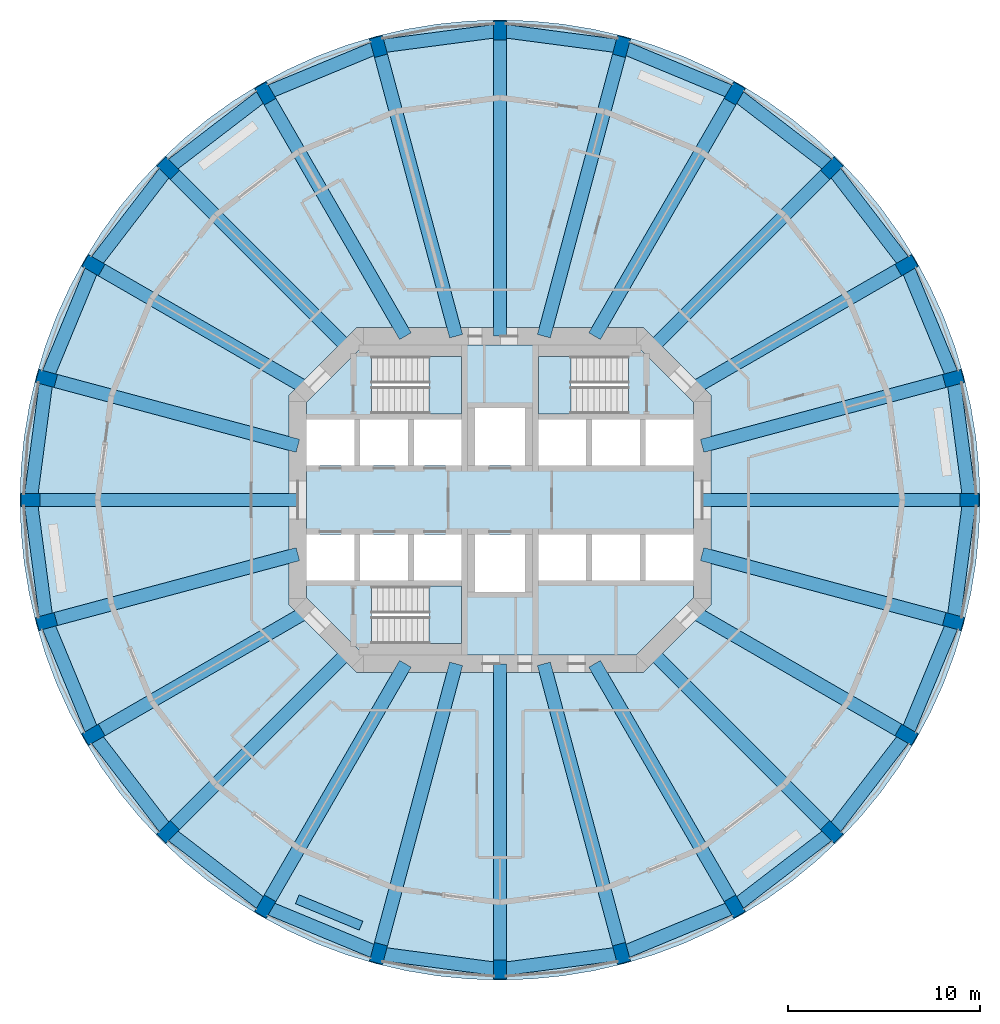
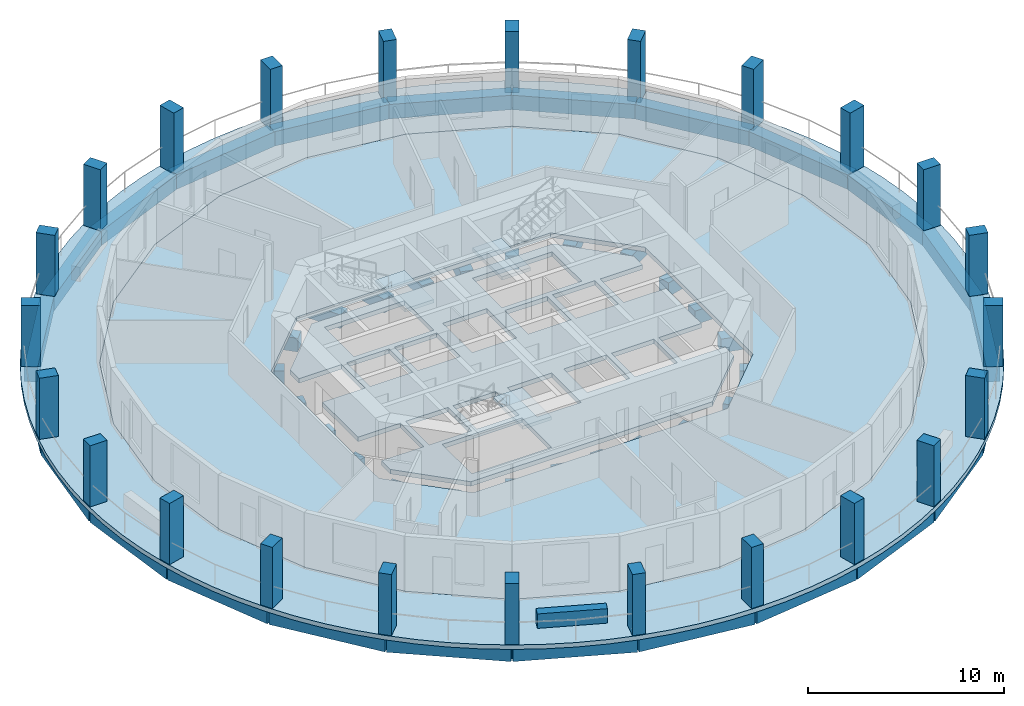
# One storey, part 1 of 8: 48 beams, 24 columns, 6 slabs, 1 wall, 3 elements without a shape of their own.
"""IFC4 building model written with IfcOpenShell, lengths in metres."""

from ifc_helpers import new_model, si_unit, direction, frame, frame_2d, origin, origin_2d, place, context, subcontext, project, spatial, polyline, rectangle, outline, extrude, material, layer, layer_set, material_profile, profile_set, type_object, element, aggregate, save


model = new_model("IFC4")

# Units and contexts
model_context = context("Model", 3, precision=1e-05, world=origin(), true_north=direction((0.0, 1.0)))
body_context = subcontext(model_context, "Body", "Model", "MODEL_VIEW")
ifc_project = project(units=[si_unit("LENGTHUNIT", "METRE"), si_unit("AREAUNIT", "SQUARE_METRE"), si_unit("VOLUMEUNIT", "CUBIC_METRE"), si_unit("PLANEANGLEUNIT", "RADIAN"), si_unit("MASSUNIT", "GRAM", prefix="KILO")], contexts=[model_context])

# Site, building, storey
site_placement = place(None, origin())
site = spatial("IfcSite", under=ifc_project, at=site_placement, CompositionType="ELEMENT")
building_placement = place(site_placement, origin())
building = spatial("IfcBuilding", under=site, at=building_placement, Name="Torre Triforio", CompositionType="ELEMENT")
storey_placement = place(building_placement, frame((0.0, 0.0, 127.60009765625)))
storey = spatial("IfcBuildingStorey", under=building, at=storey_placement, Name="L28", CompositionType="ELEMENT", Elevation=127.60009765625)

# Columns
ifc_material_1 = material(Name="Concrete C60", Category="concrete")
ifc_material_profile_1 = material_profile(ifc_material_1, rectangle(XDim=0.699951171875, YDim=1.0, at=origin_2d()), Name="RC 700x1000")
ifc_profile_set_1 = profile_set([ifc_material_profile_1], Name="Concrete C60")
column_type = type_object("IfcColumnType", Name="Pier RC 700x1000 C60", PredefinedType="COLUMN", material=ifc_profile_set_1)
for number, where, z_axis, x_axis, name in (
    (1, (24.5, 0.0, 0.0), (0.0, 0.0, 1.0), (0.0, 1.0, 0.0), "COL.R.L28.00"),
    (2, (23.665283203125, 6.341064453125, 0.0), (0.0, 0.0, 1.0), (-0.258819045103, 0.965925826289, 0.0), "COL.R.L28.01"),
    (3, (21.217529296875, 12.25, 0.0), (0.0, 0.0, 1.0), (-0.5, 0.866025403784, 0.0), "COL.R.L28.02"),
    (4, (17.32421875, 17.32421875, 0.0), (0.0, 0.0, 1.0), (-0.707106781187, 0.707106781187, 0.0), "COL.R.L28.03"),
    (5, (12.25, 21.217529296875, 0.0), (0.0, 0.0, 1.0), (-0.866025403784, 0.5, 0.0), "COL.R.L28.04"),
    (6, (6.341064453125, 23.665283203125, 0.0), (0.0, 0.0, 1.0), (-0.965925826289, 0.258819045103, 0.0), "COL.R.L28.05"),
    (7, (0.0, 24.5, 0.0), (0.0, 0.0, 1.0), (-1.0, 0.0, 0.0), "COL.R.L28.06"),
    (8, (-6.341064453125, 23.665283203125, 0.0), (0.0, 0.0, 1.0), (-0.965925826289, -0.258819045103, 0.0), "COL.R.L28.07"),
    (9, (-12.25, 21.217529296875, 0.0), (0.0, 0.0, 1.0), (-0.866025403784, -0.5, 0.0), "COL.R.L28.08"),
    (10, (-17.32421875, 17.32421875, 0.0), (0.0, 0.0, 1.0), (-0.707106781187, -0.707106781187, 0.0), "COL.R.L28.09"),
    (11, (-21.217529296875, 12.25, 0.0), (0.0, 0.0, 1.0), (-0.5, -0.866025403784, 0.0), "COL.R.L28.10"),
    (12, (-23.665283203125, 6.341064453125, 0.0), (0.0, 0.0, 1.0), (-0.258819045103, -0.965925826289, 0.0), "COL.R.L28.11"),
    (13, (-24.5, 0.0, 0.0), (0.0, 0.0, 1.0), (0.0, -1.0, 0.0), "COL.R.L28.12"),
    (14, (-23.665283203125, -6.341064453125, 0.0), (0.0, 0.0, 1.0), (0.258819045103, -0.965925826289, 0.0), "COL.R.L28.13"),
    (15, (-21.217529296875, -12.25, 0.0), (0.0, 0.0, 1.0), (0.5, -0.866025403784, 0.0), "COL.R.L28.14"),
    (16, (-17.32421875, -17.32421875, 0.0), (0.0, 0.0, 1.0), (0.707106781187, -0.707106781187, 0.0), "COL.R.L28.15"),
    (17, (-12.25, -21.217529296875, 0.0), (0.0, 0.0, 1.0), (0.866025403784, -0.5, 0.0), "COL.R.L28.16"),
    (18, (-6.341064453125, -23.665283203125, 0.0), (0.0, 0.0, 1.0), (0.965925826289, -0.258819045103, 0.0), "COL.R.L28.17"),
    (19, (0.0, -24.5, 0.0), (0.0, 0.0, 1.0), (1.0, 0.0, 0.0), "COL.R.L28.18"),
    (20, (6.341064453125, -23.665283203125, 0.0), (0.0, 0.0, 1.0), (0.965925826289, 0.258819045103, 0.0), "COL.R.L28.19"),
    (21, (12.25, -21.217529296875, 0.0), (0.0, 0.0, 1.0), (0.866025403784, 0.5, 0.0), "COL.R.L28.20"),
    (22, (17.32421875, -17.32421875, 0.0), (0.0, 0.0, 1.0), (0.707106781187, 0.707106781187, 0.0), "COL.R.L28.21"),
    (23, (21.217529296875, -12.25, 0.0), (0.0, 0.0, 1.0), (0.5, 0.866025403784, 0.0), "COL.R.L28.22"),
    (24, (23.665283203125, -6.341064453125, 0.0), (0.0, 0.0, 1.0), (0.258819045103, 0.965925826289, 0.0), "COL.R.L28.23"),
):
    element("IfcColumn", number, at=place(storey_placement, frame(where, z_axis=z_axis, x_axis=x_axis)), inside=storey, type_object=column_type, Name=name, PredefinedType="COLUMN", context=body_context, shape_type="SweptSolid", body=[
        extrude(rectangle(XDim=0.699951171875, YDim=1.0, at=origin_2d()), origin(), (0.0, 0.0, 1.0), 3.7998046875),
    ])

# Beams
ifc_material_2 = material(Name="Concrete C50", Category="concrete")
ifc_material_profile_2 = material_profile(ifc_material_2, rectangle(XDim=0.699951171875, YDim=0.85009765625, at=origin_2d()), Name="RC 700x850")
ifc_profile_set_2 = profile_set([ifc_material_profile_2], Name="Concrete C50")
beam_type_1 = type_object("IfcBeamType", Name="Radial beam RC 700x850 C50", PredefinedType="BEAM", material=ifc_profile_set_2)
beam_1_placement = place(storey_placement, frame((10.550048828125, 0.0, -0.705078125), z_axis=(1.0, 0.0, 0.0), x_axis=(0.0, 1.0, 0.0)))
element("IfcBeam", 25, at=beam_1_placement, inside=storey, type_object=beam_type_1, Name="BM.R.L28.00", PredefinedType="BEAM", context=body_context, shape_type="SweptSolid", body=[
    extrude(rectangle(XDim=0.699951171875, YDim=0.85009765625, at=origin_2d()), origin(), (0.0, 0.0, 1.0), 13.949951171875),
])
beam_2_placement = place(storey_placement, frame((10.550048828125, 2.826904296875, -0.705078125), z_axis=(0.965926862951, 0.258815176197, 0.0), x_axis=(-0.258815176197, 0.965926862951, 0.0)))
element("IfcBeam", 26, at=beam_2_placement, inside=storey, type_object=beam_type_1, Name="BM.R.L28.01", PredefinedType="BEAM", context=body_context, shape_type="SweptSolid", body=[
    extrude(rectangle(XDim=0.699951171875, YDim=0.85009765625, at=origin_2d()), origin(), (0.0, 0.0, 1.0), 13.577880859375),
])
beam_3_placement = place(storey_placement, frame((10.039794921875, 5.796630859375, -0.705078125), z_axis=(0.866028718729, 0.499994258303, 0.0), x_axis=(-0.499994258303, 0.866028718729, 0.0)))
element("IfcBeam", 27, at=beam_3_placement, inside=storey, type_object=beam_type_1, Name="BM.R.L28.02", PredefinedType="BEAM", context=body_context, shape_type="SweptSolid", body=[
    extrude(rectangle(XDim=0.699951171875, YDim=0.85009765625, at=origin_2d()), origin(), (0.0, 0.0, 1.0), 12.906982421875),
])
beam_4_placement = place(storey_placement, frame((7.918212890625, 7.918212890625, -0.705078125), z_axis=(0.707106781187, 0.707106781187, 0.0), x_axis=(-0.707106781187, 0.707106781187, 0.0)))
element("IfcBeam", 28, at=beam_4_placement, inside=storey, type_object=beam_type_1, Name="BM.R.L28.03", PredefinedType="BEAM", context=body_context, shape_type="SweptSolid", body=[
    extrude(rectangle(XDim=0.699951171875, YDim=0.85009765625, at=origin_2d()), origin(), (0.0, 0.0, 1.0), 13.302001953125),
])
beam_5_placement = place(storey_placement, frame((4.936279296875, 8.550048828125, -0.705078125), z_axis=(0.500007560092, 0.86602103892, 0.0), x_axis=(-0.86602103892, 0.500007560092, 0.0)))
element("IfcBeam", 29, at=beam_5_placement, inside=storey, type_object=beam_type_1, Name="BM.R.L28.04", PredefinedType="BEAM", context=body_context, shape_type="SweptSolid", body=[
    extrude(rectangle(XDim=0.699951171875, YDim=0.85009765625, at=origin_2d()), origin(), (0.0, 0.0, 1.0), 14.627197265625),
])
beam_6_placement = place(storey_placement, frame((2.291015625, 8.550048828125, -0.705078125), z_axis=(0.258815108997, 0.965926880957, 0.0), x_axis=(-0.965926880957, 0.258815108997, 0.0)))
element("IfcBeam", 30, at=beam_6_placement, inside=storey, type_object=beam_type_1, Name="BM.R.L28.05", PredefinedType="BEAM", context=body_context, shape_type="SweptSolid", body=[
    extrude(rectangle(XDim=0.699951171875, YDim=0.85009765625, at=origin_2d()), origin(), (0.0, 0.0, 1.0), 15.6484375),
])
beam_7_placement = place(storey_placement, frame((0.0, 8.550048828125, -0.705078125), z_axis=(0.0, 1.0, 0.0), x_axis=(-1.0, 0.0, 0.0)))
element("IfcBeam", 31, at=beam_7_placement, inside=storey, type_object=beam_type_1, Name="BM.R.L28.06", PredefinedType="BEAM", context=body_context, shape_type="SweptSolid", body=[
    extrude(rectangle(XDim=0.699951171875, YDim=0.85009765625, at=origin_2d()), origin(), (0.0, 0.0, 1.0), 15.949951171875),
])
beam_8_placement = place(storey_placement, frame((-2.291015625, 8.550048828125, -0.705078125), z_axis=(-0.258815108997, 0.965926880957, 0.0), x_axis=(-0.965926880957, -0.258815108997, 0.0)))
element("IfcBeam", 32, at=beam_8_placement, inside=storey, type_object=beam_type_1, Name="BM.R.L28.07", PredefinedType="BEAM", context=body_context, shape_type="SweptSolid", body=[
    extrude(rectangle(XDim=0.699951171875, YDim=0.85009765625, at=origin_2d()), origin(), (0.0, 0.0, 1.0), 15.6484375),
])
beam_9_placement = place(storey_placement, frame((-4.936279296875, 8.550048828125, -0.705078125), z_axis=(-0.500007560092, 0.86602103892, 0.0), x_axis=(-0.86602103892, -0.500007560092, 0.0)))
element("IfcBeam", 33, at=beam_9_placement, inside=storey, type_object=beam_type_1, Name="BM.R.L28.08", PredefinedType="BEAM", context=body_context, shape_type="SweptSolid", body=[
    extrude(rectangle(XDim=0.699951171875, YDim=0.85009765625, at=origin_2d()), origin(), (0.0, 0.0, 1.0), 14.627197265625),
])
beam_10_placement = place(storey_placement, frame((-7.918212890625, 7.918212890625, -0.705078125), z_axis=(-0.707106781187, 0.707106781187, 0.0), x_axis=(-0.707106781187, -0.707106781187, 0.0)))
element("IfcBeam", 34, at=beam_10_placement, inside=storey, type_object=beam_type_1, Name="BM.R.L28.09", PredefinedType="BEAM", context=body_context, shape_type="SweptSolid", body=[
    extrude(rectangle(XDim=0.699951171875, YDim=0.85009765625, at=origin_2d()), origin(), (0.0, 0.0, 1.0), 13.302001953125),
])
beam_11_placement = place(storey_placement, frame((-10.039794921875, 5.796630859375, -0.705078125), z_axis=(-0.866028718729, 0.499994258303, 0.0), x_axis=(-0.499994258303, -0.866028718729, 0.0)))
element("IfcBeam", 35, at=beam_11_placement, inside=storey, type_object=beam_type_1, Name="BM.R.L28.10", PredefinedType="BEAM", context=body_context, shape_type="SweptSolid", body=[
    extrude(rectangle(XDim=0.699951171875, YDim=0.85009765625, at=origin_2d()), origin(), (0.0, 0.0, 1.0), 12.906982421875),
])
beam_12_placement = place(storey_placement, frame((-10.550048828125, 2.826904296875, -0.705078125), z_axis=(-0.965926862951, 0.258815176197, 0.0), x_axis=(-0.258815176197, -0.965926862951, 0.0)))
element("IfcBeam", 36, at=beam_12_placement, inside=storey, type_object=beam_type_1, Name="BM.R.L28.11", PredefinedType="BEAM", context=body_context, shape_type="SweptSolid", body=[
    extrude(rectangle(XDim=0.699951171875, YDim=0.85009765625, at=origin_2d()), origin(), (0.0, 0.0, 1.0), 13.577880859375),
])
beam_13_placement = place(storey_placement, frame((-10.550048828125, 0.0, -0.705078125), z_axis=(-1.0, 0.0, 0.0), x_axis=(0.0, -1.0, 0.0)))
element("IfcBeam", 37, at=beam_13_placement, inside=storey, type_object=beam_type_1, Name="BM.R.L28.12", PredefinedType="BEAM", context=body_context, shape_type="SweptSolid", body=[
    extrude(rectangle(XDim=0.699951171875, YDim=0.85009765625, at=origin_2d()), origin(), (0.0, 0.0, 1.0), 13.949951171875),
])
beam_14_placement = place(storey_placement, frame((-10.550048828125, -2.826904296875, -0.705078125), z_axis=(-0.965926862951, -0.258815176197, 0.0), x_axis=(0.258815176197, -0.965926862951, 0.0)))
element("IfcBeam", 38, at=beam_14_placement, inside=storey, type_object=beam_type_1, Name="BM.R.L28.13", PredefinedType="BEAM", context=body_context, shape_type="SweptSolid", body=[
    extrude(rectangle(XDim=0.699951171875, YDim=0.85009765625, at=origin_2d()), origin(), (0.0, 0.0, 1.0), 13.577880859375),
])
beam_15_placement = place(storey_placement, frame((-10.039794921875, -5.796630859375, -0.705078125), z_axis=(-0.866028718729, -0.499994258303, 0.0), x_axis=(0.499994258303, -0.866028718729, 0.0)))
element("IfcBeam", 39, at=beam_15_placement, inside=storey, type_object=beam_type_1, Name="BM.R.L28.14", PredefinedType="BEAM", context=body_context, shape_type="SweptSolid", body=[
    extrude(rectangle(XDim=0.699951171875, YDim=0.85009765625, at=origin_2d()), origin(), (0.0, 0.0, 1.0), 12.906982421875),
])
beam_16_placement = place(storey_placement, frame((-7.918212890625, -7.918212890625, -0.705078125), z_axis=(-0.707106781187, -0.707106781187, 0.0), x_axis=(0.707106781187, -0.707106781187, 0.0)))
element("IfcBeam", 40, at=beam_16_placement, inside=storey, type_object=beam_type_1, Name="BM.R.L28.15", PredefinedType="BEAM", context=body_context, shape_type="SweptSolid", body=[
    extrude(rectangle(XDim=0.699951171875, YDim=0.85009765625, at=origin_2d()), origin(), (0.0, 0.0, 1.0), 13.302001953125),
])
beam_17_placement = place(storey_placement, frame((-4.936279296875, -8.550048828125, -0.705078125), z_axis=(-0.500007560092, -0.86602103892, 0.0), x_axis=(0.86602103892, -0.500007560092, 0.0)))
element("IfcBeam", 41, at=beam_17_placement, inside=storey, type_object=beam_type_1, Name="BM.R.L28.16", PredefinedType="BEAM", context=body_context, shape_type="SweptSolid", body=[
    extrude(rectangle(XDim=0.699951171875, YDim=0.85009765625, at=origin_2d()), origin(), (0.0, 0.0, 1.0), 14.627197265625),
])
beam_18_placement = place(storey_placement, frame((-2.291015625, -8.550048828125, -0.705078125), z_axis=(-0.258815108997, -0.965926880957, 0.0), x_axis=(0.965926880957, -0.258815108997, 0.0)))
element("IfcBeam", 42, at=beam_18_placement, inside=storey, type_object=beam_type_1, Name="BM.R.L28.17", PredefinedType="BEAM", context=body_context, shape_type="SweptSolid", body=[
    extrude(rectangle(XDim=0.699951171875, YDim=0.85009765625, at=origin_2d()), origin(), (0.0, 0.0, 1.0), 15.6484375),
])
beam_19_placement = place(storey_placement, frame((0.0, -8.550048828125, -0.705078125), z_axis=(0.0, -1.0, 0.0), x_axis=(1.0, 0.0, 0.0)))
element("IfcBeam", 43, at=beam_19_placement, inside=storey, type_object=beam_type_1, Name="BM.R.L28.18", PredefinedType="BEAM", context=body_context, shape_type="SweptSolid", body=[
    extrude(rectangle(XDim=0.699951171875, YDim=0.85009765625, at=origin_2d()), origin(), (0.0, 0.0, 1.0), 15.949951171875),
])
beam_20_placement = place(storey_placement, frame((2.291015625, -8.550048828125, -0.705078125), z_axis=(0.258815108997, -0.965926880957, 0.0), x_axis=(0.965926880957, 0.258815108997, 0.0)))
element("IfcBeam", 44, at=beam_20_placement, inside=storey, type_object=beam_type_1, Name="BM.R.L28.19", PredefinedType="BEAM", context=body_context, shape_type="SweptSolid", body=[
    extrude(rectangle(XDim=0.699951171875, YDim=0.85009765625, at=origin_2d()), origin(), (0.0, 0.0, 1.0), 15.6484375),
])
beam_21_placement = place(storey_placement, frame((4.936279296875, -8.550048828125, -0.705078125), z_axis=(0.500007560092, -0.86602103892, 0.0), x_axis=(0.86602103892, 0.500007560092, 0.0)))
element("IfcBeam", 45, at=beam_21_placement, inside=storey, type_object=beam_type_1, Name="BM.R.L28.20", PredefinedType="BEAM", context=body_context, shape_type="SweptSolid", body=[
    extrude(rectangle(XDim=0.699951171875, YDim=0.85009765625, at=origin_2d()), origin(), (0.0, 0.0, 1.0), 14.627197265625),
])
beam_22_placement = place(storey_placement, frame((7.918212890625, -7.918212890625, -0.705078125), z_axis=(0.707106781187, -0.707106781187, 0.0), x_axis=(0.707106781187, 0.707106781187, 0.0)))
element("IfcBeam", 46, at=beam_22_placement, inside=storey, type_object=beam_type_1, Name="BM.R.L28.21", PredefinedType="BEAM", context=body_context, shape_type="SweptSolid", body=[
    extrude(rectangle(XDim=0.699951171875, YDim=0.85009765625, at=origin_2d()), origin(), (0.0, 0.0, 1.0), 13.302001953125),
])
beam_23_placement = place(storey_placement, frame((10.039794921875, -5.796630859375, -0.705078125), z_axis=(0.866028718729, -0.499994258303, 0.0), x_axis=(0.499994258303, 0.866028718729, 0.0)))
element("IfcBeam", 47, at=beam_23_placement, inside=storey, type_object=beam_type_1, Name="BM.R.L28.22", PredefinedType="BEAM", context=body_context, shape_type="SweptSolid", body=[
    extrude(rectangle(XDim=0.699951171875, YDim=0.85009765625, at=origin_2d()), origin(), (0.0, 0.0, 1.0), 12.906982421875),
])
beam_24_placement = place(storey_placement, frame((10.550048828125, -2.826904296875, -0.705078125), z_axis=(0.965926862951, -0.258815176197, 0.0), x_axis=(0.258815176197, 0.965926862951, 0.0)))
element("IfcBeam", 48, at=beam_24_placement, inside=storey, type_object=beam_type_1, Name="BM.R.L28.23", PredefinedType="BEAM", context=body_context, shape_type="SweptSolid", body=[
    extrude(rectangle(XDim=0.699951171875, YDim=0.85009765625, at=origin_2d()), origin(), (0.0, 0.0, 1.0), 13.577880859375),
])
ifc_material_profile_3 = material_profile(ifc_material_2, rectangle(XDim=0.699951171875, YDim=0.89990234375, at=origin_2d()), Name="RC 700x900")
ifc_profile_set_3 = profile_set([ifc_material_profile_3], Name="Concrete C50")
beam_type_2 = type_object("IfcBeamType", Name="Spandrel beam RC 700x900 C50", PredefinedType="SPANDREL", material=ifc_profile_set_3)
for number, where, z_axis, x_axis, name in (
    (49, (24.5, 0.0, -0.72998046875), (-0.130510796237, 0.991446888172, 0.0), (-0.991446888172, -0.130510796237, 0.0), "BM.S.L28.00"),
    (50, (23.665283203125, 6.341064453125, -0.72998046875), (-0.382709143949, 0.923868882006, 0.0), (-0.923868882006, -0.382709143949, 0.0), "BM.S.L28.01"),
    (51, (21.217529296875, 12.25, -0.72998046875), (-0.60873442055, 0.79337406388, 0.0), (-0.79337406388, -0.60873442055, 0.0), "BM.S.L28.02"),
    (52, (17.32421875, 17.32421875, -0.72998046875), (-0.79337406388, 0.60873442055, 0.0), (-0.60873442055, -0.79337406388, 0.0), "BM.S.L28.03"),
    (53, (12.25, 21.217529296875, -0.72998046875), (-0.923868882006, 0.382709143949, 0.0), (-0.382709143949, -0.923868882006, 0.0), "BM.S.L28.04"),
    (54, (6.341064453125, 23.665283203125, -0.72998046875), (-0.991446888172, 0.130510796237, 0.0), (-0.130510796237, -0.991446888172, 0.0), "BM.S.L28.05"),
    (55, (0.0, 24.5, -0.72998046875), (-0.991446888172, -0.130510796237, 0.0), (0.130510796237, -0.991446888172, 0.0), "BM.S.L28.06"),
    (56, (-6.341064453125, 23.665283203125, -0.72998046875), (-0.923868882006, -0.382709143949, 0.0), (0.382709143949, -0.923868882006, 0.0), "BM.S.L28.07"),
    (57, (-12.25, 21.217529296875, -0.72998046875), (-0.79337406388, -0.60873442055, 0.0), (0.60873442055, -0.79337406388, 0.0), "BM.S.L28.08"),
    (58, (-17.32421875, 17.32421875, -0.72998046875), (-0.60873442055, -0.79337406388, 0.0), (0.79337406388, -0.60873442055, 0.0), "BM.S.L28.09"),
    (59, (-21.217529296875, 12.25, -0.72998046875), (-0.382709143949, -0.923868882006, 0.0), (0.923868882006, -0.382709143949, 0.0), "BM.S.L28.10"),
    (60, (-23.665283203125, 6.341064453125, -0.72998046875), (-0.130510796237, -0.991446888172, 0.0), (0.991446888172, -0.130510796237, 0.0), "BM.S.L28.11"),
    (61, (-24.5, 0.0, -0.72998046875), (0.130510796237, -0.991446888172, 0.0), (0.991446888172, 0.130510796237, 0.0), "BM.S.L28.12"),
    (62, (-23.665283203125, -6.341064453125, -0.72998046875), (0.382709143949, -0.923868882006, 0.0), (0.923868882006, 0.382709143949, 0.0), "BM.S.L28.13"),
    (63, (-21.217529296875, -12.25, -0.72998046875), (0.60873442055, -0.79337406388, 0.0), (0.79337406388, 0.60873442055, 0.0), "BM.S.L28.14"),
    (64, (-17.32421875, -17.32421875, -0.72998046875), (0.79337406388, -0.60873442055, 0.0), (0.60873442055, 0.79337406388, 0.0), "BM.S.L28.15"),
    (65, (-12.25, -21.217529296875, -0.72998046875), (0.923868882006, -0.382709143949, 0.0), (0.382709143949, 0.923868882006, 0.0), "BM.S.L28.16"),
    (66, (-6.341064453125, -23.665283203125, -0.72998046875), (0.991446888172, -0.130510796237, 0.0), (0.130510796237, 0.991446888172, 0.0), "BM.S.L28.17"),
    (67, (0.0, -24.5, -0.72998046875), (0.991446888172, 0.130510796237, 0.0), (-0.130510796237, 0.991446888172, 0.0), "BM.S.L28.18"),
    (68, (6.341064453125, -23.665283203125, -0.72998046875), (0.923868882006, 0.382709143949, 0.0), (-0.382709143949, 0.923868882006, 0.0), "BM.S.L28.19"),
    (69, (12.25, -21.217529296875, -0.72998046875), (0.79337406388, 0.60873442055, 0.0), (-0.60873442055, 0.79337406388, 0.0), "BM.S.L28.20"),
    (70, (17.32421875, -17.32421875, -0.72998046875), (0.60873442055, 0.79337406388, 0.0), (-0.79337406388, 0.60873442055, 0.0), "BM.S.L28.21"),
    (71, (21.217529296875, -12.25, -0.72998046875), (0.382709143949, 0.923868882006, 0.0), (-0.923868882006, 0.382709143949, 0.0), "BM.S.L28.22"),
    (72, (23.665283203125, -6.341064453125, -0.72998046875), (0.130510796237, 0.991446888172, 0.0), (-0.991446888172, 0.130510796237, 0.0), "BM.S.L28.23"),
):
    element("IfcBeam", number, at=place(storey_placement, frame(where, z_axis=z_axis, x_axis=x_axis)), inside=storey, type_object=beam_type_2, Name=name, PredefinedType="SPANDREL", context=body_context, shape_type="SweptSolid", body=[
        extrude(rectangle(XDim=0.699951171875, YDim=0.89990234375, at=origin_2d()), origin(), (0.0, 0.0, 1.0), 6.395751953125),
    ])

# Slabs
ifc_layer_1 = layer(ifc_material_1, 0.280029296875)
ifc_layer_set_1 = layer_set([ifc_layer_1], Name="Concrete C60")
slab_type_1 = type_object("IfcSlabType", Name="Core floor slab 280 mm C60 REI 120", PredefinedType="FLOOR", material=ifc_layer_set_1)
slab_1_placement = place(storey_placement, frame((0.0, 0.0, -0.280029296875)))
element("IfcSlab", 73, at=slab_1_placement, inside=storey, type_object=slab_type_1, Name="Core floor slab", PredefinedType="FLOOR", context=body_context, shape_type="SweptSolid", body=[
    extrude(outline(polyline([(10.10009765625, -5.10009765625), (7.10009765625, -8.10009765625), (-7.10009765625, -8.10009765625), (-10.10009765625, -5.10009765625), (-10.10009765625, -4.199951171875), (-7.60009765625, -4.199951171875), (-7.60009765625, -1.800048828125), (-10.10009765625, -1.800048828125), (-10.10009765625, 1.800048828125), (-7.60009765625, 1.800048828125), (-7.60009765625, 4.199951171875), (-10.10009765625, 4.199951171875), (-10.10009765625, 5.10009765625), (-7.10009765625, 8.10009765625), (7.10009765625, 8.10009765625), (10.10009765625, 5.10009765625), (10.10009765625, 4.199951171875), (7.60009765625, 4.199951171875), (7.60009765625, 1.800048828125), (10.10009765625, 1.800048828125), (10.10009765625, -1.800048828125), (7.60009765625, -1.800048828125), (7.60009765625, -4.199951171875), (10.10009765625, -4.199951171875), (10.10009765625, -5.10009765625)]), holes=[polyline([(-2.0, -4.5), (-6.696044921875, -4.5), (-6.696044921875, -7.5), (-2.0, -7.5), (-2.0, -4.5)]), polyline([(-4.800048828125, -1.800048828125), (-7.300048828125, -1.800048828125), (-7.300048828125, -4.199951171875), (-4.800048828125, -4.199951171875), (-4.800048828125, -1.800048828125)]), polyline([(-2.0, -1.800048828125), (-4.5, -1.800048828125), (-4.5, -4.199951171875), (-2.0, -4.199951171875), (-2.0, -1.800048828125)]), polyline([(-4.800048828125, 4.199951171875), (-7.300048828125, 4.199951171875), (-7.300048828125, 1.800048828125), (-4.800048828125, 1.800048828125), (-4.800048828125, 4.199951171875)]), polyline([(-2.0, 4.199951171875), (-4.5, 4.199951171875), (-4.5, 1.800048828125), (-2.0, 1.800048828125), (-2.0, 4.199951171875)]), polyline([(1.300048828125, 4.800048828125), (-1.300048828125, 4.800048828125), (-1.300048828125, 1.800048828125), (1.300048828125, 1.800048828125), (1.300048828125, 4.800048828125)]), polyline([(-2.0, 7.5), (-6.696044921875, 7.5), (-6.696044921875, 4.5), (-2.0, 4.5), (-2.0, 7.5)]), polyline([(1.300048828125, -1.800048828125), (-1.300048828125, -1.800048828125), (-1.300048828125, -4.800048828125), (1.300048828125, -4.800048828125), (1.300048828125, -1.800048828125)]), polyline([(4.5, -1.800048828125), (2.0, -1.800048828125), (2.0, -4.199951171875), (4.5, -4.199951171875), (4.5, -1.800048828125)]), polyline([(7.300048828125, -1.800048828125), (4.800048828125, -1.800048828125), (4.800048828125, -4.199951171875), (7.300048828125, -4.199951171875), (7.300048828125, -1.800048828125)]), polyline([(4.5, 4.199951171875), (2.0, 4.199951171875), (2.0, 1.800048828125), (4.5, 1.800048828125), (4.5, 4.199951171875)]), polyline([(7.300048828125, 4.199951171875), (4.800048828125, 4.199951171875), (4.800048828125, 1.800048828125), (7.300048828125, 1.800048828125), (7.300048828125, 4.199951171875)]), polyline([(6.696044921875, 4.5), (6.696044921875, 7.5), (2.0, 7.5), (2.0, 4.5), (6.696044921875, 4.5)])]), origin(), (0.0, 0.0, 1.0), 0.280029296875),
])
ifc_layer_2 = layer(ifc_material_2, 0.280029296875)
ifc_layer_set_2 = layer_set([ifc_layer_2], Name="Concrete C50")
slab_type_2 = type_object("IfcSlabType", Name="Floor slab 280 C50", PredefinedType="FLOOR", material=ifc_layer_set_2)
slab_2_placement = place(storey_placement, frame((0.0, 0.0, -0.280029296875)))
element("IfcSlab", 74, at=slab_2_placement, inside=storey, type_object=slab_type_2, Name="SL.L28", PredefinedType="FLOOR", context=body_context, shape_type="SweptSolid", body=[
    extrude(outline(polyline([(18.1865234375, -10.5), (20.284423828125, -5.435302734375), (21.0, 0.0), (20.284423828125, 5.435302734375), (18.1865234375, 10.5), (14.84912109375, 14.84912109375), (10.5, 18.1865234375), (5.435302734375, 20.284423828125), (0.0, 21.0), (-5.435302734375, 20.284423828125), (-10.5, 18.1865234375), (-14.84912109375, 14.84912109375), (-18.1865234375, 10.5), (-20.284423828125, 5.435302734375), (-21.0, 0.0), (-20.284423828125, -5.435302734375), (-18.1865234375, -10.5), (-14.84912109375, -14.84912109375), (-10.5, -18.1865234375), (-5.435302734375, -20.284423828125), (0.0, -21.0), (5.435302734375, -20.284423828125), (10.5, -18.1865234375), (14.84912109375, -14.84912109375), (18.1865234375, -10.5)]), holes=[polyline([(11.0, 5.472900390625), (11.0, -5.472900390625), (7.472900390625, -9.0), (-7.472900390625, -9.0), (-11.0, -5.472900390625), (-11.0, 5.472900390625), (-7.472900390625, 9.0), (7.472900390625, 9.0), (11.0, 5.472900390625)])]), origin(), (0.0, 0.0, 1.0), 0.280029296875),
])
ifc_layer_3 = layer(ifc_material_2, 0.280029296875)
ifc_layer_set_3 = layer_set([ifc_layer_3], Name="Concrete C50")
slab_type_3 = type_object("IfcSlabType", Name="Loggia slab 280 C50", PredefinedType="FLOOR", material=ifc_layer_set_3)
slab_3_placement = place(storey_placement, frame((0.0, 0.0, -0.280029296875)))
element("IfcSlab", 75, at=slab_3_placement, inside=storey, type_object=slab_type_3, Name="SL.L28.LG", PredefinedType="FLOOR", context=body_context, shape_type="SweptSolid", body=[
    extrude(outline(polyline([(24.996337890625, -1.638427734375), (25.050048828125, 0.0), (24.996337890625, 1.638427734375), (24.835693359375, 3.269775390625), (24.568603515625, 4.886962890625), (24.196533203125, 6.4833984375), (23.720703125, 8.052001953125), (23.14306640625, 9.586181640625), (22.466552734375, 11.079345703125), (21.69384765625, 12.52490234375), (20.828369140625, 13.9169921875), (19.87353515625, 15.24951171875), (18.83349609375, 16.5166015625), (17.713134765625, 17.713134765625), (16.5166015625, 18.83349609375), (15.24951171875, 19.87353515625), (13.9169921875, 20.828369140625), (12.52490234375, 21.69384765625), (11.079345703125, 22.466552734375), (9.586181640625, 23.14306640625), (8.052001953125, 23.720703125), (6.4833984375, 24.196533203125), (4.886962890625, 24.568603515625), (3.269775390625, 24.835693359375), (1.638427734375, 24.996337890625), (0.0, 25.050048828125), (-1.638427734375, 24.996337890625), (-3.269775390625, 24.835693359375), (-4.886962890625, 24.568603515625), (-6.4833984375, 24.196533203125), (-8.052001953125, 23.720703125), (-9.586181640625, 23.14306640625), (-11.079345703125, 22.466552734375), (-12.52490234375, 21.69384765625), (-13.9169921875, 20.828369140625), (-15.24951171875, 19.87353515625), (-16.5166015625, 18.83349609375), (-17.713134765625, 17.713134765625), (-18.83349609375, 16.5166015625), (-19.87353515625, 15.24951171875), (-20.828369140625, 13.9169921875), (-21.69384765625, 12.52490234375), (-22.466552734375, 11.079345703125), (-23.14306640625, 9.586181640625), (-23.720703125, 8.052001953125), (-24.196533203125, 6.4833984375), (-24.568603515625, 4.886962890625), (-24.835693359375, 3.269775390625), (-24.996337890625, 1.638427734375), (-25.050048828125, 0.0), (-24.996337890625, -1.638427734375), (-24.835693359375, -3.269775390625), (-24.568603515625, -4.886962890625), (-24.196533203125, -6.4833984375), (-23.720703125, -8.052001953125), (-23.14306640625, -9.586181640625), (-22.466552734375, -11.079345703125), (-21.69384765625, -12.52490234375), (-20.828369140625, -13.9169921875), (-19.87353515625, -15.24951171875), (-18.83349609375, -16.5166015625), (-17.713134765625, -17.713134765625), (-16.5166015625, -18.83349609375), (-15.24951171875, -19.87353515625), (-13.9169921875, -20.828369140625), (-12.52490234375, -21.69384765625), (-11.079345703125, -22.466552734375), (-9.586181640625, -23.14306640625), (-8.052001953125, -23.720703125), (-6.4833984375, -24.196533203125), (-4.886962890625, -24.568603515625), (-3.269775390625, -24.835693359375), (-1.638427734375, -24.996337890625), (0.0, -25.050048828125), (1.638427734375, -24.996337890625), (3.269775390625, -24.835693359375), (4.886962890625, -24.568603515625), (6.4833984375, -24.196533203125), (8.052001953125, -23.720703125), (9.586181640625, -23.14306640625), (11.079345703125, -22.466552734375), (12.52490234375, -21.69384765625), (13.9169921875, -20.828369140625), (15.24951171875, -19.87353515625), (16.5166015625, -18.83349609375), (17.713134765625, -17.713134765625), (18.83349609375, -16.5166015625), (19.87353515625, -15.24951171875), (20.828369140625, -13.9169921875), (21.69384765625, -12.52490234375), (22.466552734375, -11.079345703125), (23.14306640625, -9.586181640625), (23.720703125, -8.052001953125), (24.196533203125, -6.4833984375), (24.568603515625, -4.886962890625), (24.835693359375, -3.269775390625), (24.996337890625, -1.638427734375)]), holes=[polyline([(20.284423828125, 5.435302734375), (21.0, 0.0), (20.284423828125, -5.435302734375), (18.1865234375, -10.5), (14.84912109375, -14.84912109375), (10.5, -18.1865234375), (5.435302734375, -20.284423828125), (0.0, -21.0), (-5.435302734375, -20.284423828125), (-10.5, -18.1865234375), (-14.84912109375, -14.84912109375), (-18.1865234375, -10.5), (-20.284423828125, -5.435302734375), (-21.0, 0.0), (-20.284423828125, 5.435302734375), (-18.1865234375, 10.5), (-14.84912109375, 14.84912109375), (-10.5, 18.1865234375), (-5.435302734375, 20.284423828125), (0.0, 21.0), (5.435302734375, 20.284423828125), (10.5, 18.1865234375), (14.84912109375, 14.84912109375), (18.1865234375, 10.5), (20.284423828125, 5.435302734375)])]), origin(), (0.0, 0.0, 1.0), 0.280029296875),
])

# Stair, slab
ifc_material_3 = material(Name="Concrete C40", Category="concrete")
stair_type = type_object("IfcStairType", Name="STAIR HALF-TURN", PredefinedType="HALF_TURN_STAIR", material=ifc_material_3)
stair_1_placement = place(storey_placement, origin())
stair_1 = element("IfcStair", 76, at=stair_1_placement, inside=storey, type_object=stair_type, Name="Exit stair 1", PredefinedType="HALF_TURN_STAIR")
ifc_layer_4 = layer(ifc_material_3, 0.199951171875)
ifc_layer_set_4 = layer_set([ifc_layer_4], Name="Concrete C40")
slab_type_4 = type_object("IfcSlabType", Name="STAIR LANDING 200", PredefinedType="LANDING", material=ifc_layer_set_4)
slab_4_placement = place(storey_placement, frame((0.0, 0.0, 1.699951171875)))
slab_4 = element("IfcSlab", 77, at=slab_4_placement, type_object=slab_type_4, Name="ST1 landing 1", PredefinedType="LANDING", context=body_context, shape_type="SweptSolid", body=[
    extrude(outline(polyline([(-2.0, 4.5), (-2.0, 7.5), (-3.699951171875, 7.5), (-3.699951171875, 4.5), (-2.0, 4.5)])), origin(), (0.0, 0.0, 1.0), 0.199951171875),
])
aggregate(stair_1, [slab_4])

stair_2_placement = place(storey_placement, origin())
stair_2 = element("IfcStair", 78, at=stair_2_placement, inside=storey, type_object=stair_type, Name="Exit stair 2", PredefinedType="HALF_TURN_STAIR")
slab_5_placement = place(storey_placement, frame((0.0, 0.0, 1.699951171875)))
slab_5 = element("IfcSlab", 79, at=slab_5_placement, type_object=slab_type_4, Name="ST2 landing 1", PredefinedType="LANDING", context=body_context, shape_type="SweptSolid", body=[
    extrude(outline(polyline([(3.699951171875, 4.5), (3.699951171875, 7.5), (2.0, 7.5), (2.0, 4.5), (3.699951171875, 4.5)])), origin(), (0.0, 0.0, 1.0), 0.199951171875),
])
aggregate(stair_2, [slab_5])

stair_3_placement = place(storey_placement, origin())
stair_3 = element("IfcStair", 80, at=stair_3_placement, inside=storey, type_object=stair_type, Name="Exit stair 3", PredefinedType="HALF_TURN_STAIR")
slab_6_placement = place(storey_placement, frame((0.0, 0.0, 1.699951171875)))
slab_6 = element("IfcSlab", 81, at=slab_6_placement, type_object=slab_type_4, Name="ST3 landing 1", PredefinedType="LANDING", context=body_context, shape_type="SweptSolid", body=[
    extrude(outline(polyline([(-2.0, -7.5), (-2.0, -4.5), (-3.699951171875, -4.5), (-3.699951171875, -7.5), (-2.0, -7.5)])), origin(), (0.0, 0.0, 1.0), 0.199951171875),
])
aggregate(stair_3, [slab_6])

# Wall
ifc_material_4 = material(Name="Limestone cladding", Category="masonry")
ifc_layer_5 = layer(ifc_material_4, 0.10009765625)
ifc_layer_6 = layer(ifc_material_3, 0.39990234375)
ifc_layer_set_5 = layer_set([ifc_layer_5, ifc_layer_6], Name="Limestone cladding / Concrete C40")
wall_type = type_object("IfcWallType", Name="Planter wall 500", PredefinedType="PARAPET", material=ifc_layer_set_5)
wall_placement = place(storey_placement, frame((-10.57958984375, -20.837646484375, 0.0), z_axis=(0.0, 0.0, 1.0), x_axis=(0.923909393783, -0.382611332921, 0.0)))
element("IfcWall", 82, at=wall_placement, inside=storey, type_object=wall_type, Name="Planter L28 bay 17", PredefinedType="PARAPET", context=body_context, shape_type="SweptSolid", body=[
    extrude(rectangle(XDim=3.60009765625, YDim=0.5, at=frame_2d((1.800048828125, 0.0))), origin(), (0.0, 0.0, 1.0), 0.89990234375),
])

save(model, "model.ifc")
